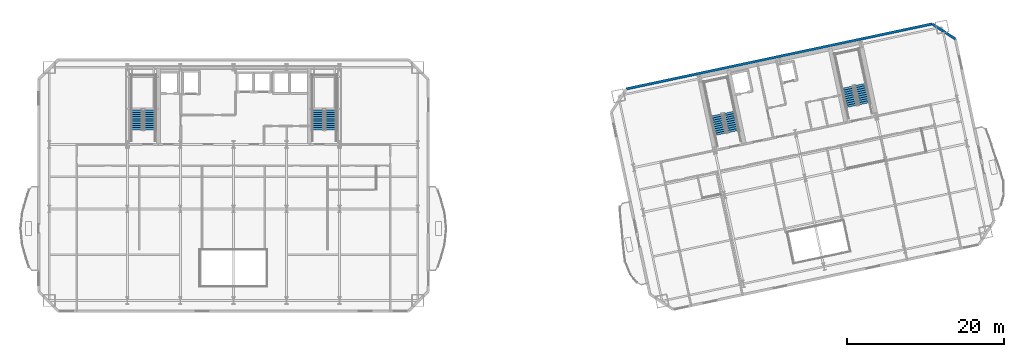
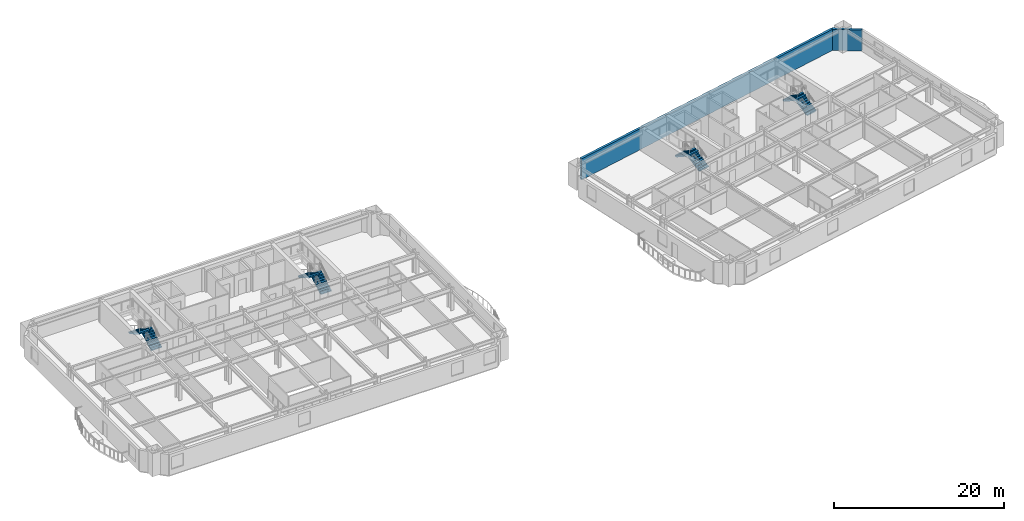
# One storey, part 9 of 14: 8 stair flights, 2 walls, 4 elements without a shape of their own.
"""IFC4 building model written with IfcOpenShell, lengths in metres."""

from ifc_helpers import new_model, si_unit, direction, frame, frame_2d, origin, place, context, subcontext, project, spatial, polyline, rectangle, outline, extrude, material, layer, layer_set, type_object, element, aggregate, save


model = new_model("IFC4")

# Units and contexts
model_context = context("Model", 3, precision=1e-05, world=origin(), true_north=direction((0.0, 1.0)))
body_context = subcontext(model_context, "Body", "Model", "MODEL_VIEW")
ifc_project = project(units=[si_unit("LENGTHUNIT", "METRE"), si_unit("AREAUNIT", "SQUARE_METRE"), si_unit("VOLUMEUNIT", "CUBIC_METRE"), si_unit("PLANEANGLEUNIT", "RADIAN"), si_unit("MASSUNIT", "GRAM", prefix="KILO")], contexts=[model_context])

# Site, building, storey
site_placement = place(None, origin())
site = spatial("IfcSite", under=ifc_project, at=site_placement, CompositionType="ELEMENT")
building_placement = place(site_placement, origin())
building = spatial("IfcBuilding", under=site, at=building_placement, Name="Haevon Station Towers", CompositionType="ELEMENT")
storey_placement = place(building_placement, frame((0.0, 0.0, 86.699951171875)))
storey = spatial("IfcBuildingStorey", under=building, at=storey_placement, Name="L22", CompositionType="ELEMENT", Elevation=86.699951171875)

# Walls
ifc_material_1 = material(Name="Precast concrete C45/55", Category="concrete")
ifc_layer = layer(ifc_material_1, 0.320068359375)
ifc_layer_set = layer_set([ifc_layer], Name="Precast concrete C45/55")
wall_type = type_object("IfcWallType", Name="WL-EXT-PIER320", PredefinedType="SOLIDWALL", material=ifc_layer_set)
wall_1_placement = place(storey_placement, frame((87.478759765625, 45.26953125, 0.0), z_axis=(0.0, 0.0, 1.0), x_axis=(0.978147406386, 0.20791260515, 0.0)))
element("IfcWall", 1, at=wall_1_placement, inside=storey, type_object=wall_type, Name="WL-T2-L22-N", PredefinedType="SOLIDWALL", context=body_context, shape_type="SweptSolid", body=[
    extrude(rectangle(XDim=39.7998046875, YDim=0.320068359375, at=frame_2d((19.89990234375, 0.0))), origin(), (0.0, 0.0, 1.0), 3.030029296875),
])
wall_2_placement = place(storey_placement, frame((126.408935546875, 53.54443359375, 0.0), z_axis=(0.0, 0.0, 1.0), x_axis=(0.838672309694, -0.544636352948, 0.0)))
element("IfcWall", 2, at=wall_2_placement, inside=storey, type_object=wall_type, Name="WL-T2-L22-NEC", PredefinedType="SOLIDWALL", context=body_context, shape_type="SweptSolid", body=[
    extrude(rectangle(XDim=3.535400390625, YDim=0.320068359375, at=frame_2d((1.767578125, 0.0))), origin(), (0.0, 0.0, 1.0), 3.030029296875),
])

# Stair, stair flights
ifc_material_2 = material(Name="Concrete C40/50", Category="concrete")
stair_type = type_object("IfcStairType", Name="STR-DL1450", PredefinedType="USERDEFINED", material=ifc_material_2)
stair_1_placement = place(storey_placement, origin())
stair_1 = element("IfcStair", 3, at=stair_1_placement, inside=storey, type_object=stair_type, Name="L22 Escape Stair ST1", ObjectType="TWO_RETURN_STAIR", PredefinedType="USERDEFINED")
stair_flight_type = type_object("IfcStairFlightType", Name="STF-ST1450", PredefinedType="STRAIGHT", material=ifc_material_2)
stair_flight_1_placement = place(storey_placement, frame((26.85498046875, 40.050048828125, 0.0), z_axis=(0.0, 0.0, 1.0), x_axis=(0.0, 1.0, 0.0)))
stair_flight_1 = element("IfcStairFlight", 4, at=stair_flight_1_placement, type_object=stair_flight_type, Name="L22 ST1 Flight 1", NumberOfRisers=10, NumberOfTreads=9, PredefinedType="STRAIGHT", RiserHeight=0.165, TreadLength=0.28, context=body_context, shape_type="SweptSolid", body=[
    extrude(outline(polyline([(0.0, 0.0), (0.0, 0.1650390625), (0.280029296875, 0.1650390625), (0.280029296875, 0.330078125), (0.56005859375, 0.330078125), (0.56005859375, 0.4951171875), (0.840087890625, 0.4951171875), (0.840087890625, 0.659912109375), (1.1201171875, 0.659912109375), (1.1201171875, 0.824951171875), (1.39990234375, 0.824951171875), (1.39990234375, 0.989990234375), (1.679931640625, 0.989990234375), (1.679931640625, 1.155029296875), (1.9599609375, 1.155029296875), (1.9599609375, 1.320068359375), (2.239990234375, 1.320068359375), (2.239990234375, 1.485107421875), (2.52001953125, 1.485107421875), (2.52001953125, 1.64990234375), (2.52001953125, 1.29931640625), (0.31494140625, 0.0), (0.0, 0.0)])), frame((0.0, 0.72509765625, 0.0), z_axis=(0.0, -1.0, 0.0), x_axis=(1.0, 0.0, 0.0)), (0.0, 0.0, 1.0), 1.449951171875),
])
stair_flight_2_placement = place(storey_placement, frame((25.205078125, 42.570068359375, 1.650146484375), z_axis=(0.0, 0.0, 1.0), x_axis=(0.0, -1.0, 0.0)))
stair_flight_2 = element("IfcStairFlight", 5, at=stair_flight_2_placement, type_object=stair_flight_type, Name="L22 ST1 Flight 2", NumberOfRisers=10, NumberOfTreads=9, PredefinedType="STRAIGHT", RiserHeight=0.165, TreadLength=0.28, context=body_context, shape_type="SweptSolid", body=[
    extrude(outline(polyline([(0.0, 0.0), (0.0, 0.1650390625), (0.280029296875, 0.1650390625), (0.280029296875, 0.330078125), (0.56005859375, 0.330078125), (0.56005859375, 0.4951171875), (0.840087890625, 0.4951171875), (0.840087890625, 0.659912109375), (1.1201171875, 0.659912109375), (1.1201171875, 0.824951171875), (1.39990234375, 0.824951171875), (1.39990234375, 0.989990234375), (1.679931640625, 0.989990234375), (1.679931640625, 1.155029296875), (1.9599609375, 1.155029296875), (1.9599609375, 1.320068359375), (2.239990234375, 1.320068359375), (2.239990234375, 1.485107421875), (2.52001953125, 1.485107421875), (2.52001953125, 1.64990234375), (2.52001953125, 1.29931640625), (0.31494140625, 0.0), (0.0, 0.0)])), frame((0.0, 0.72509765625, 0.0), z_axis=(0.0, -1.0, 0.0), x_axis=(1.0, 0.0, 0.0)), (0.0, 0.0, 1.0), 1.449951171875),
])
aggregate(stair_1, [stair_flight_1, stair_flight_2])

stair_2_placement = place(storey_placement, origin())
stair_2 = element("IfcStair", 6, at=stair_2_placement, inside=storey, type_object=stair_type, Name="L22 Escape Stair ST2", ObjectType="TWO_RETURN_STAIR", PredefinedType="USERDEFINED")
stair_flight_3_placement = place(storey_placement, frame((49.89501953125, 40.050048828125, 0.0), z_axis=(0.0, 0.0, 1.0), x_axis=(0.0, 1.0, 0.0)))
stair_flight_3 = element("IfcStairFlight", 7, at=stair_flight_3_placement, type_object=stair_flight_type, Name="L22 ST2 Flight 1", NumberOfRisers=10, NumberOfTreads=9, PredefinedType="STRAIGHT", RiserHeight=0.165, TreadLength=0.28, context=body_context, shape_type="SweptSolid", body=[
    extrude(outline(polyline([(0.0, 0.0), (0.0, 0.1650390625), (0.280029296875, 0.1650390625), (0.280029296875, 0.330078125), (0.56005859375, 0.330078125), (0.56005859375, 0.4951171875), (0.840087890625, 0.4951171875), (0.840087890625, 0.659912109375), (1.1201171875, 0.659912109375), (1.1201171875, 0.824951171875), (1.39990234375, 0.824951171875), (1.39990234375, 0.989990234375), (1.679931640625, 0.989990234375), (1.679931640625, 1.155029296875), (1.9599609375, 1.155029296875), (1.9599609375, 1.320068359375), (2.239990234375, 1.320068359375), (2.239990234375, 1.485107421875), (2.52001953125, 1.485107421875), (2.52001953125, 1.64990234375), (2.52001953125, 1.29931640625), (0.31494140625, 0.0), (0.0, 0.0)])), frame((0.0, 0.72509765625, 0.0), z_axis=(0.0, -1.0, 0.0), x_axis=(1.0, 0.0, 0.0)), (0.0, 0.0, 1.0), 1.449951171875),
])
stair_flight_4_placement = place(storey_placement, frame((48.2451171875, 42.570068359375, 1.650146484375), z_axis=(0.0, 0.0, 1.0), x_axis=(0.0, -1.0, 0.0)))
stair_flight_4 = element("IfcStairFlight", 8, at=stair_flight_4_placement, type_object=stair_flight_type, Name="L22 ST2 Flight 2", NumberOfRisers=10, NumberOfTreads=9, PredefinedType="STRAIGHT", RiserHeight=0.165, TreadLength=0.28, context=body_context, shape_type="SweptSolid", body=[
    extrude(outline(polyline([(0.0, 0.0), (0.0, 0.1650390625), (0.280029296875, 0.1650390625), (0.280029296875, 0.330078125), (0.56005859375, 0.330078125), (0.56005859375, 0.4951171875), (0.840087890625, 0.4951171875), (0.840087890625, 0.659912109375), (1.1201171875, 0.659912109375), (1.1201171875, 0.824951171875), (1.39990234375, 0.824951171875), (1.39990234375, 0.989990234375), (1.679931640625, 0.989990234375), (1.679931640625, 1.155029296875), (1.9599609375, 1.155029296875), (1.9599609375, 1.320068359375), (2.239990234375, 1.320068359375), (2.239990234375, 1.485107421875), (2.52001953125, 1.485107421875), (2.52001953125, 1.64990234375), (2.52001953125, 1.29931640625), (0.31494140625, 0.0), (0.0, 0.0)])), frame((0.0, 0.72509765625, 0.0), z_axis=(0.0, -1.0, 0.0), x_axis=(1.0, 0.0, 0.0)), (0.0, 0.0, 1.0), 1.449951171875),
])
aggregate(stair_2, [stair_flight_3, stair_flight_4])

stair_3_placement = place(storey_placement, origin())
stair_3 = element("IfcStair", 9, at=stair_3_placement, inside=storey, type_object=stair_type, Name="L22 Escape Stair ST3", ObjectType="TWO_RETURN_STAIR", PredefinedType="USERDEFINED")
stair_flight_5_placement = place(storey_placement, frame((101.1015625, 39.8330078125, 0.0), z_axis=(0.0, 0.0, 1.0), x_axis=(-0.207911690818, 0.978147600734, 0.0)))
stair_flight_5 = element("IfcStairFlight", 10, at=stair_flight_5_placement, type_object=stair_flight_type, Name="L22 ST3 Flight 1", NumberOfRisers=10, NumberOfTreads=9, PredefinedType="STRAIGHT", RiserHeight=0.165, TreadLength=0.28, context=body_context, shape_type="SweptSolid", body=[
    extrude(outline(polyline([(0.0, 0.0), (0.0, 0.1650390625), (0.280029296875, 0.1650390625), (0.280029296875, 0.330078125), (0.56005859375, 0.330078125), (0.56005859375, 0.4951171875), (0.840087890625, 0.4951171875), (0.840087890625, 0.659912109375), (1.1201171875, 0.659912109375), (1.1201171875, 0.824951171875), (1.39990234375, 0.824951171875), (1.39990234375, 0.989990234375), (1.679931640625, 0.989990234375), (1.679931640625, 1.155029296875), (1.9599609375, 1.155029296875), (1.9599609375, 1.320068359375), (2.239990234375, 1.320068359375), (2.239990234375, 1.485107421875), (2.52001953125, 1.485107421875), (2.52001953125, 1.64990234375), (2.52001953125, 1.29931640625), (0.31494140625, 0.0), (0.0, 0.0)])), frame((0.0, 0.72509765625, 0.0), z_axis=(0.0, -1.0, 0.0), x_axis=(1.0, 0.0, 0.0)), (0.0, 0.0, 1.0), 1.449951171875),
])
stair_flight_6_placement = place(storey_placement, frame((98.9638671875, 41.955078125, 1.650146484375), z_axis=(0.0, 0.0, 1.0), x_axis=(0.207911690818, -0.978147600734, 0.0)))
stair_flight_6 = element("IfcStairFlight", 11, at=stair_flight_6_placement, type_object=stair_flight_type, Name="L22 ST3 Flight 2", NumberOfRisers=10, NumberOfTreads=9, PredefinedType="STRAIGHT", RiserHeight=0.165, TreadLength=0.28, context=body_context, shape_type="SweptSolid", body=[
    extrude(outline(polyline([(0.0, 0.0), (0.0, 0.1650390625), (0.280029296875, 0.1650390625), (0.280029296875, 0.330078125), (0.56005859375, 0.330078125), (0.56005859375, 0.4951171875), (0.840087890625, 0.4951171875), (0.840087890625, 0.659912109375), (1.1201171875, 0.659912109375), (1.1201171875, 0.824951171875), (1.39990234375, 0.824951171875), (1.39990234375, 0.989990234375), (1.679931640625, 0.989990234375), (1.679931640625, 1.155029296875), (1.9599609375, 1.155029296875), (1.9599609375, 1.320068359375), (2.239990234375, 1.320068359375), (2.239990234375, 1.485107421875), (2.52001953125, 1.485107421875), (2.52001953125, 1.64990234375), (2.52001953125, 1.29931640625), (0.31494140625, 0.0), (0.0, 0.0)])), frame((0.0, 0.72509765625, 0.0), z_axis=(0.0, -1.0, 0.0), x_axis=(1.0, 0.0, 0.0)), (0.0, 0.0, 1.0), 1.449951171875),
])
aggregate(stair_3, [stair_flight_5, stair_flight_6])

stair_4_placement = place(storey_placement, origin())
stair_4 = element("IfcStair", 12, at=stair_4_placement, inside=storey, type_object=stair_type, Name="L22 Escape Stair ST4", ObjectType="TWO_RETURN_STAIR", PredefinedType="USERDEFINED")
stair_flight_7_placement = place(storey_placement, frame((117.788818359375, 43.380126953125, 0.0), z_axis=(0.0, 0.0, 1.0), x_axis=(-0.207911690818, 0.978147600734, 0.0)))
stair_flight_7 = element("IfcStairFlight", 13, at=stair_flight_7_placement, type_object=stair_flight_type, Name="L22 ST4 Flight 1", NumberOfRisers=10, NumberOfTreads=9, PredefinedType="STRAIGHT", RiserHeight=0.165, TreadLength=0.28, context=body_context, shape_type="SweptSolid", body=[
    extrude(outline(polyline([(0.0, 0.0), (0.0, 0.1650390625), (0.280029296875, 0.1650390625), (0.280029296875, 0.330078125), (0.56005859375, 0.330078125), (0.56005859375, 0.4951171875), (0.840087890625, 0.4951171875), (0.840087890625, 0.659912109375), (1.1201171875, 0.659912109375), (1.1201171875, 0.824951171875), (1.39990234375, 0.824951171875), (1.39990234375, 0.989990234375), (1.679931640625, 0.989990234375), (1.679931640625, 1.155029296875), (1.9599609375, 1.155029296875), (1.9599609375, 1.320068359375), (2.239990234375, 1.320068359375), (2.239990234375, 1.485107421875), (2.52001953125, 1.485107421875), (2.52001953125, 1.64990234375), (2.52001953125, 1.29931640625), (0.31494140625, 0.0), (0.0, 0.0)])), frame((0.0, 0.72509765625, 0.0), z_axis=(0.0, -1.0, 0.0), x_axis=(1.0, 0.0, 0.0)), (0.0, 0.0, 1.0), 1.449951171875),
])
stair_flight_8_placement = place(storey_placement, frame((115.65087890625, 45.501953125, 1.650146484375), z_axis=(0.0, 0.0, 1.0), x_axis=(0.207911690818, -0.978147600734, 0.0)))
stair_flight_8 = element("IfcStairFlight", 14, at=stair_flight_8_placement, type_object=stair_flight_type, Name="L22 ST4 Flight 2", NumberOfRisers=10, NumberOfTreads=9, PredefinedType="STRAIGHT", RiserHeight=0.165, TreadLength=0.28, context=body_context, shape_type="SweptSolid", body=[
    extrude(outline(polyline([(0.0, 0.0), (0.0, 0.1650390625), (0.280029296875, 0.1650390625), (0.280029296875, 0.330078125), (0.56005859375, 0.330078125), (0.56005859375, 0.4951171875), (0.840087890625, 0.4951171875), (0.840087890625, 0.659912109375), (1.1201171875, 0.659912109375), (1.1201171875, 0.824951171875), (1.39990234375, 0.824951171875), (1.39990234375, 0.989990234375), (1.679931640625, 0.989990234375), (1.679931640625, 1.155029296875), (1.9599609375, 1.155029296875), (1.9599609375, 1.320068359375), (2.239990234375, 1.320068359375), (2.239990234375, 1.485107421875), (2.52001953125, 1.485107421875), (2.52001953125, 1.64990234375), (2.52001953125, 1.29931640625), (0.31494140625, 0.0), (0.0, 0.0)])), frame((0.0, 0.72509765625, 0.0), z_axis=(0.0, -1.0, 0.0), x_axis=(1.0, 0.0, 0.0)), (0.0, 0.0, 1.0), 1.449951171875),
])
aggregate(stair_4, [stair_flight_7, stair_flight_8])

save(model, "model.ifc")
